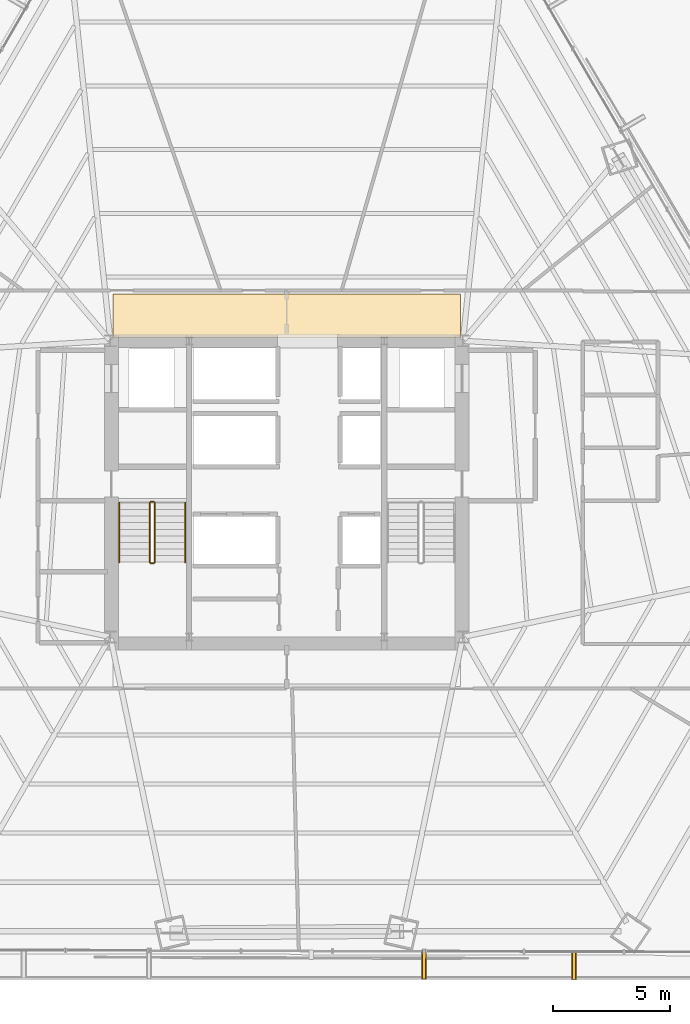
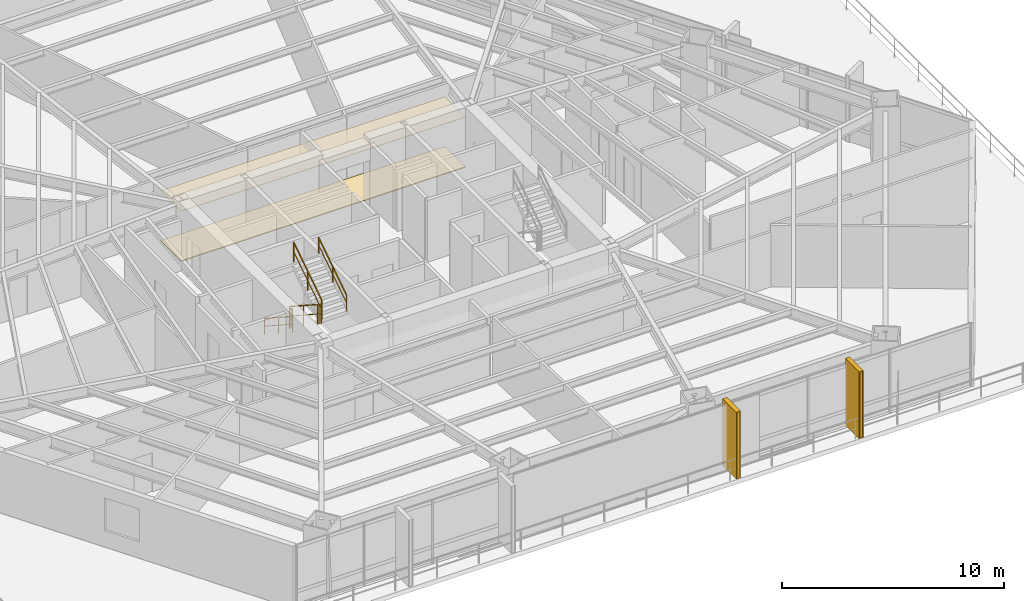
# One storey, part 33 of 35: 6 railings, 4 coverings, 2 shading devices.
"""IFC4 building model written with IfcOpenShell, lengths in metres."""

from ifc_helpers import new_model, si_unit, direction, frame, origin, origin_2d, place, context, subcontext, project, spatial, polyline, rectangle, outline, extrude, source, transform, mapped, material, layer, layer_set, type_object, type_shapes, element, save


model = new_model("IFC4")

# Units and contexts
model_context = context("Model", 3, precision=1e-05, world=origin(), true_north=direction((0.0, 1.0)))
body_context = subcontext(model_context, "Body", "Model", "MODEL_VIEW")
ifc_project = project(units=[si_unit("LENGTHUNIT", "METRE"), si_unit("AREAUNIT", "SQUARE_METRE"), si_unit("VOLUMEUNIT", "CUBIC_METRE"), si_unit("PLANEANGLEUNIT", "RADIAN"), si_unit("MASSUNIT", "GRAM", prefix="KILO")], contexts=[model_context])

# Site, building, storey
site_placement = place(None, origin())
site = spatial("IfcSite", under=ifc_project, at=site_placement, CompositionType="ELEMENT")
building_placement = place(site_placement, origin())
building = spatial("IfcBuilding", under=site, at=building_placement, Name="Caelisora Broadcast Tower", CompositionType="ELEMENT")
storey_placement = place(building_placement, frame((0.0, 0.0, 27.60009765625)))
storey = spatial("IfcBuildingStorey", under=building, at=storey_placement, Name="L06", CompositionType="ELEMENT", Elevation=27.60009765625)

# Coverings
ifc_material_1 = material(Name="Perforated Mineral-Fibre Acoustic Ceiling Tile", Category="gypsum")
ifc_layer_1 = layer(ifc_material_1, 0.034912109375, Name="Perforated Mineral-Fibre Acoustic Ceiling Tile")
ifc_layer_set_1 = layer_set([ifc_layer_1], Name="Perforated Mineral-Fibre Acoustic Ceiling Tile")
covering_type_1 = type_object("IfcCoveringType", Name="CE-1", PredefinedType="CEILING", material=ifc_layer_set_1)
covering_1_placement = place(storey_placement, frame((0.0, 0.0, 2.75)))
element("IfcCovering", 1, at=covering_1_placement, inside=storey, type_object=covering_type_1, Name="L06 acoustic corridor ceiling CE-1 (N)", PredefinedType="CEILING", context=body_context, shape_type="SweptSolid", body=[
    extrude(outline(polyline([(30.60009765625, 30.14990234375), (45.39990234375, 30.14990234375), (45.39990234375, 32.0), (30.60009765625, 32.0), (30.60009765625, 30.14990234375)])), origin(), (0.0, 0.0, 1.0), 0.034912109375),
])
ifc_material_2 = material(Name="Anti-Static Broadcast Raised Access Floor Panel", Category="steel")
ifc_layer_2 = layer(ifc_material_2, 0.044921875, Name="Anti-Static Broadcast Raised Access Floor Panel")
ifc_layer_set_2 = layer_set([ifc_layer_2], Name="Anti-Static Broadcast Raised Access Floor Panel")
covering_type_2 = type_object("IfcCoveringType", Name="FL-1", PredefinedType="FLOORING", material=ifc_layer_set_2)
covering_2_placement = place(storey_placement, origin())
element("IfcCovering", 2, at=covering_2_placement, inside=storey, type_object=covering_type_2, Name="L06 broadcast raised access floor FL-1 (N)", PredefinedType="FLOORING", context=body_context, shape_type="SweptSolid", body=[
    extrude(outline(polyline([(30.60009765625, 30.14990234375), (45.39990234375, 30.14990234375), (45.39990234375, 32.0), (30.60009765625, 32.0), (30.60009765625, 30.14990234375)])), origin(), (0.0, 0.0, 1.0), 0.044921875),
])

# Railings
ifc_material_3 = material(Name="Galvanised Steel Safety Guardrail", Category="steel")
ifc_layer_3 = layer(ifc_material_3, 0.048095703125, Name="Galvanised Steel Safety Guardrail")
ifc_layer_set_3 = layer_set([ifc_layer_3], Name="Galvanised Steel Safety Guardrail")
railing_type_1 = type_object("IfcRailingType", Name="GR-1", PredefinedType="GUARDRAIL", material=ifc_layer_set_3)
railing_1_placement = place(storey_placement, frame((32.169921875, 23.10009765625, 0.182373046875)))
element("IfcRailing", 3, at=railing_1_placement, inside=storey, type_object=railing_type_1, Name="L06 ST-1 stair guard 1", PredefinedType="GUARDRAIL", context=body_context, shape_type="SweptSolid", body=[
    extrude(rectangle(XDim=0.048095703125, YDim=0.048095703125, at=origin_2d()), frame((0.0, 0.0, 1.076171875), z_axis=(0.0, -0.837749427056, 0.546054848405), x_axis=(1.0, 0.0, 0.0)), (0.0, 0.0, 1.0), 3.008056640625),
    extrude(rectangle(XDim=0.03125, YDim=0.03125, at=origin_2d()), frame((0.0, 0.0, 0.550048828125), z_axis=(0.0, -0.837749427056, 0.546054848405), x_axis=(1.0, 0.0, 0.0)), (0.0, 0.0, 1.0), 3.008056640625),
    extrude(rectangle(XDim=0.0419921875, YDim=0.0419921875, at=origin_2d()), origin(), (0.0, 0.0, 1.0), 1.052001953125),
    extrude(rectangle(XDim=0.0419921875, YDim=0.0419921875, at=origin_2d()), frame((0.0, -1.260009765625, 0.8212890625)), (0.0, 0.0, 1.0), 1.052001953125),
    extrude(rectangle(XDim=0.0419921875, YDim=0.0419921875, at=origin_2d()), frame((0.0, -2.52001953125, 1.642578125)), (0.0, 0.0, 1.0), 1.052001953125),
])
railing_2_placement = place(storey_placement, frame((32.219970703125, 20.530029296875, 1.824951171875)))
element("IfcRailing", 4, at=railing_2_placement, inside=storey, type_object=railing_type_1, Name="L06 ST-1 stair guard 2", PredefinedType="GUARDRAIL", context=body_context, shape_type="SweptSolid", body=[
    extrude(rectangle(XDim=0.048095703125, YDim=0.048095703125, at=origin_2d()), frame((0.0, 0.0, 1.076171875), z_axis=(1.0, 0.0, 0.0), x_axis=(0.0, 1.0, 0.0)), (0.0, 0.0, 1.0), 0.1201171875),
    extrude(rectangle(XDim=0.03125, YDim=0.03125, at=origin_2d()), frame((0.0, 0.0, 0.550048828125), z_axis=(1.0, 0.0, 0.0), x_axis=(0.0, 1.0, 0.0)), (0.0, 0.0, 1.0), 0.1201171875),
    extrude(rectangle(XDim=0.0419921875, YDim=0.0419921875, at=origin_2d()), origin(), (0.0, 0.0, 1.0), 1.052001953125),
    extrude(rectangle(XDim=0.0419921875, YDim=0.0419921875, at=origin_2d()), frame((0.1201171875, 0.0, 0.0)), (0.0, 0.0, 1.0), 1.052001953125),
])
railing_3_placement = place(storey_placement, frame((32.389892578125, 20.580078125, 2.00732421875)))
element("IfcRailing", 5, at=railing_3_placement, inside=storey, type_object=railing_type_1, Name="L06 ST-1 stair guard 3", PredefinedType="GUARDRAIL", context=body_context, shape_type="SweptSolid", body=[
    extrude(rectangle(XDim=0.048095703125, YDim=0.048095703125, at=origin_2d()), frame((0.0, 0.0, 1.076171875), z_axis=(0.0, 0.837749427056, 0.546054848405), x_axis=(-1.0, 0.0, 0.0)), (0.0, 0.0, 1.0), 3.008056640625),
    extrude(rectangle(XDim=0.03125, YDim=0.03125, at=origin_2d()), frame((0.0, 0.0, 0.550048828125), z_axis=(0.0, 0.837749427056, 0.546054848405), x_axis=(-1.0, 0.0, 0.0)), (0.0, 0.0, 1.0), 3.008056640625),
    extrude(rectangle(XDim=0.0419921875, YDim=0.0419921875, at=origin_2d()), origin(), (0.0, 0.0, 1.0), 1.052001953125),
    extrude(rectangle(XDim=0.0419921875, YDim=0.0419921875, at=origin_2d()), frame((0.0, 1.260009765625, 0.8212890625)), (0.0, 0.0, 1.0), 1.052001953125),
    extrude(rectangle(XDim=0.0419921875, YDim=0.0419921875, at=origin_2d()), frame((0.0, 2.52001953125, 1.642578125)), (0.0, 0.0, 1.0), 1.052001953125),
])
railing_4_placement = place(storey_placement, frame((32.219970703125, 23.14990234375, 0.0)))
element("IfcRailing", 6, at=railing_4_placement, inside=storey, type_object=railing_type_1, Name="L06 ST-1 stair guard 4", PredefinedType="GUARDRAIL", context=body_context, shape_type="SweptSolid", body=[
    extrude(rectangle(XDim=0.048095703125, YDim=0.048095703125, at=origin_2d()), frame((0.0, 0.0, 1.076171875), z_axis=(1.0, 0.0, 0.0), x_axis=(0.0, 1.0, 0.0)), (0.0, 0.0, 1.0), 0.1201171875),
    extrude(rectangle(XDim=0.03125, YDim=0.03125, at=origin_2d()), frame((0.0, 0.0, 0.550048828125), z_axis=(1.0, 0.0, 0.0), x_axis=(0.0, 1.0, 0.0)), (0.0, 0.0, 1.0), 0.1201171875),
    extrude(rectangle(XDim=0.0419921875, YDim=0.0419921875, at=origin_2d()), origin(), (0.0, 0.0, 1.0), 1.052001953125),
    extrude(rectangle(XDim=0.0419921875, YDim=0.0419921875, at=origin_2d()), frame((0.1201171875, 0.0, 0.0)), (0.0, 0.0, 1.0), 1.052001953125),
])
ifc_material_4 = material(Name="Stainless Steel Grade 316 Tubular Handrail", Category="steel")
ifc_layer_4 = layer(ifc_material_4, 0.048095703125, Name="Stainless Steel Grade 316 Tubular Handrail")
ifc_layer_set_4 = layer_set([ifc_layer_4], Name="Stainless Steel Grade 316 Tubular Handrail")
railing_type_2 = type_object("IfcRailingType", Name="HR-1", PredefinedType="HANDRAIL", material=ifc_layer_set_4)
railing_5_placement = place(storey_placement, frame((30.8701171875, 23.10009765625, 0.182373046875)))
element("IfcRailing", 7, at=railing_5_placement, inside=storey, type_object=railing_type_2, Name="L06 ST-1 stair handrail 1", PredefinedType="HANDRAIL", context=body_context, shape_type="SweptSolid", body=[
    extrude(rectangle(XDim=0.048095703125, YDim=0.048095703125, at=origin_2d()), frame((0.0, 0.0, 0.8759765625), z_axis=(0.0, -0.837749427056, 0.546054848405), x_axis=(1.0, 0.0, 0.0)), (0.0, 0.0, 1.0), 3.008056640625),
    extrude(rectangle(XDim=0.03125, YDim=0.03125, at=origin_2d()), frame((0.0, 0.0, 0.449951171875), z_axis=(0.0, -0.837749427056, 0.546054848405), x_axis=(1.0, 0.0, 0.0)), (0.0, 0.0, 1.0), 3.008056640625),
    extrude(rectangle(XDim=0.0419921875, YDim=0.0419921875, at=origin_2d()), origin(), (0.0, 0.0, 1.0), 0.851806640625),
    extrude(rectangle(XDim=0.0419921875, YDim=0.0419921875, at=origin_2d()), frame((0.0, -1.260009765625, 0.8212890625)), (0.0, 0.0, 1.0), 0.851806640625),
    extrude(rectangle(XDim=0.0419921875, YDim=0.0419921875, at=origin_2d()), frame((0.0, -2.52001953125, 1.642578125)), (0.0, 0.0, 1.0), 0.851806640625),
])
railing_6_placement = place(storey_placement, frame((33.68994140625, 20.580078125, 2.00732421875)))
element("IfcRailing", 8, at=railing_6_placement, inside=storey, type_object=railing_type_2, Name="L06 ST-1 stair handrail 2", PredefinedType="HANDRAIL", context=body_context, shape_type="SweptSolid", body=[
    extrude(rectangle(XDim=0.048095703125, YDim=0.048095703125, at=origin_2d()), frame((0.0, 0.0, 0.8759765625), z_axis=(0.0, 0.837749427056, 0.546054848405), x_axis=(-1.0, 0.0, 0.0)), (0.0, 0.0, 1.0), 3.008056640625),
    extrude(rectangle(XDim=0.03125, YDim=0.03125, at=origin_2d()), frame((0.0, 0.0, 0.449951171875), z_axis=(0.0, 0.837749427056, 0.546054848405), x_axis=(-1.0, 0.0, 0.0)), (0.0, 0.0, 1.0), 3.008056640625),
    extrude(rectangle(XDim=0.0419921875, YDim=0.0419921875, at=origin_2d()), origin(), (0.0, 0.0, 1.0), 0.851806640625),
    extrude(rectangle(XDim=0.0419921875, YDim=0.0419921875, at=origin_2d()), frame((0.0, 1.260009765625, 0.8212890625)), (0.0, 0.0, 1.0), 0.851806640625),
    extrude(rectangle(XDim=0.0419921875, YDim=0.0419921875, at=origin_2d()), frame((0.0, 2.52001953125, 1.642578125)), (0.0, 0.0, 1.0), 0.851806640625),
])

# Coverings
ifc_material_5 = material(Name="Kiln-Fired Terracotta Spandrel Rainscreen Cladding", Category="ceramic")
ifc_layer_5 = layer(ifc_material_5, 0.044921875, Name="Kiln-Fired Terracotta Spandrel Rainscreen Cladding")
ifc_layer_set_5 = layer_set([ifc_layer_5], Name="Kiln-Fired Terracotta Spandrel Rainscreen Cladding")
covering_type_3 = type_object("IfcCoveringType", Name="CL-1", PredefinedType="CLADDING", material=ifc_layer_set_5)
shared_shape_1 = source(origin(), body_context, "Body", "SweptSolid", [
    extrude(rectangle(XDim=0.219970703125, YDim=1.25, at=origin_2d()), origin(), (0.0, 0.0, 1.0), 3.68994140625),
])
type_shapes(covering_type_3, [shared_shape_1])
for number, where, z_axis, x_axis, name in (
    (9, (50.228759765625, 3.443359375, -0.02001953125), (0.0, 0.0, 1.0), (-0.999996573056, 0.002617990887, 0.0), "L06 vertical solar fin cladding #2-1"),
    (10, (43.848876953125, 3.46044921875, -0.02001953125), (0.0, 0.0, 1.0), (-0.999996573056, 0.002617990887, 0.0), "L06 vertical solar fin cladding #2-2"),
):
    element("IfcCovering", number, at=place(storey_placement, frame(where, z_axis=z_axis, x_axis=x_axis)), inside=storey, type_object=covering_type_3, Name=name, PredefinedType="CLADDING", context=body_context, shape_type="MappedRepresentation", body=[
        mapped(shared_shape_1, transform((0.0, 0.0, 0.0), scale=1.0)),
    ])

# Shading devices
ifc_material_6 = material(Name="Extruded Terracotta Flaring Colonnade Fin", Category="ceramic")
ifc_layer_6 = layer(ifc_material_6, 0.139892578125, Name="Extruded Terracotta Flaring Colonnade Fin")
ifc_layer_set_6 = layer_set([ifc_layer_6], Name="Extruded Terracotta Flaring Colonnade Fin")
shading_device_type = type_object("IfcShadingDeviceType", Name="FN-1", PredefinedType="USERDEFINED", material=ifc_layer_set_6)
shared_shape_2 = source(origin(), body_context, "Body", "SweptSolid", [
    extrude(rectangle(XDim=0.139892578125, YDim=1.25, at=origin_2d()), origin(), (0.0, 0.0, 1.0), 3.669921875),
])
type_shapes(shading_device_type, [shared_shape_2])
for number, where, z_axis, x_axis, name in (
    (11, (50.228759765625, 3.443359375, -0.010009765625), (0.0, 0.0, 1.0), (-0.999996573056, 0.002617990887, 0.0), "L06 vertical terracotta fin #2-1"),
    (12, (43.848876953125, 3.46044921875, -0.010009765625), (0.0, 0.0, 1.0), (-0.999996573056, 0.002617990887, 0.0), "L06 vertical terracotta fin #2-2"),
):
    element("IfcShadingDevice", number, at=place(storey_placement, frame(where, z_axis=z_axis, x_axis=x_axis)), inside=storey, type_object=shading_device_type, Name=name, ObjectType="FIN", PredefinedType="USERDEFINED", context=body_context, shape_type="MappedRepresentation", body=[
        mapped(shared_shape_2, transform((0.0, 0.0, 0.0), scale=1.0)),
    ])

save(model, "model.ifc")
